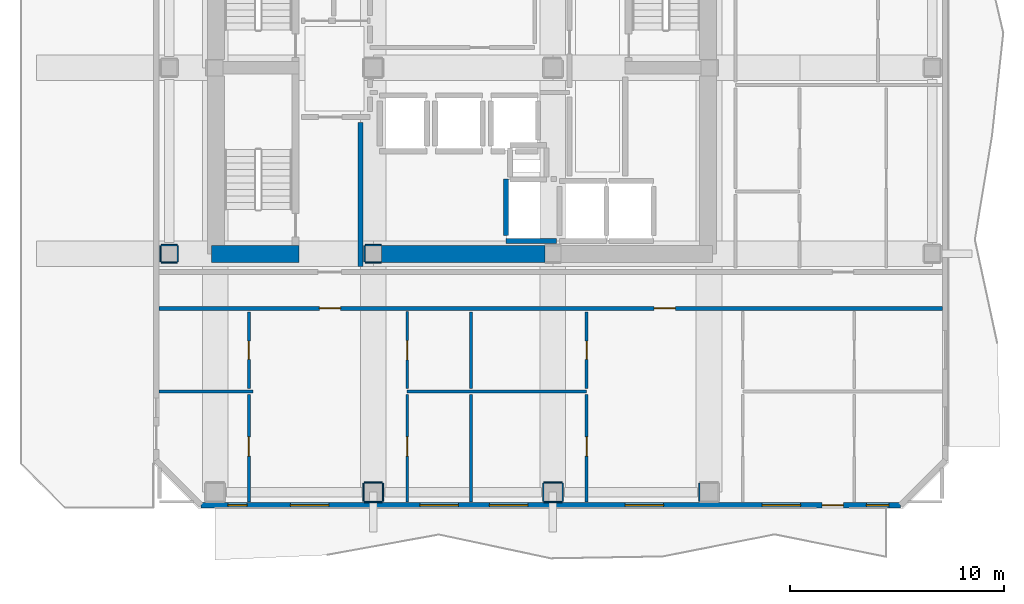
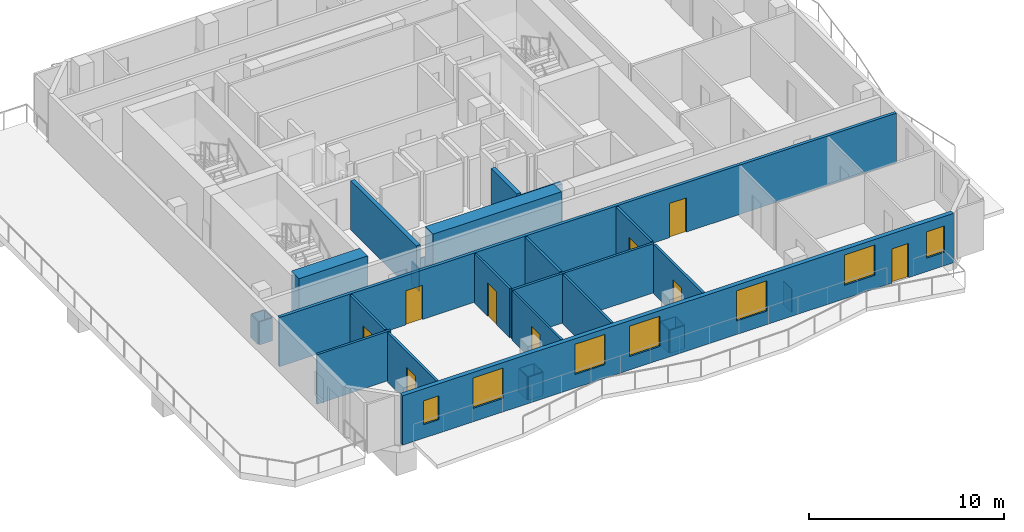
# One storey, part 2 of 10: 33 walls, 9 doors, 7 windows, 16 openings.
"""IFC4 building model written with IfcOpenShell, lengths in metres."""

from ifc_helpers import new_model, si_unit, direction, frame, frame_2d, origin, place, context, subcontext, project, spatial, rectangle, extrude, material, layer, layer_set, type_object, element, fill, save


model = new_model("IFC4")

# Units and contexts
model_context = context("Model", 3, precision=1e-05, world=origin(), true_north=direction((0.0, 1.0)))
body_context = subcontext(model_context, "Body", "Model", "MODEL_VIEW")
ifc_project = project(units=[si_unit("LENGTHUNIT", "METRE"), si_unit("AREAUNIT", "SQUARE_METRE"), si_unit("VOLUMEUNIT", "CUBIC_METRE"), si_unit("PLANEANGLEUNIT", "RADIAN"), si_unit("MASSUNIT", "GRAM", prefix="KILO")], contexts=[model_context])

# Site, building, storey
site_placement = place(None, origin())
site = spatial("IfcSite", under=ifc_project, at=site_placement, CompositionType="ELEMENT")
building_placement = place(site_placement, origin())
building = spatial("IfcBuilding", under=site, at=building_placement, Name="Solanera Arch Residences", CompositionType="ELEMENT")
storey_placement = place(building_placement, frame((0.0, 0.0, 210.080078125)))
storey = spatial("IfcBuildingStorey", under=building, at=storey_placement, Name="L61", CompositionType="ELEMENT", Elevation=210.080078125)

# Walls
ifc_material_1 = material(Name="Fire-Rated Gypsum Stud Partition", Category="gypsum")
ifc_layer_1 = layer(ifc_material_1, 0.06005859375)
ifc_layer_set_1 = layer_set([ifc_layer_1], Name="Fire-Rated Gypsum Stud Partition")
wall_type_1 = type_object("IfcWallType", Name="Column Acoustic Furring Wall 60", PredefinedType="PARTITIONING", material=ifc_layer_set_1)
for number, where, z_axis, x_axis, name in (
    (1, (20.425048828125, 21.593017578125, 0.0), (0.0, 0.0, 1.0), (1.0, 0.0, 0.0), "L61 Column Furring 1S"),
    (2, (20.425048828125, 22.406982421875, 0.0), (0.0, 0.0, 1.0), (1.0, 0.0, 0.0), "L61 Column Furring 1N"),
):
    element("IfcWall", number, at=place(storey_placement, frame(where, z_axis=z_axis, x_axis=x_axis)), inside=storey, type_object=wall_type_1, Name=name, PredefinedType="PARTITIONING", context=body_context, shape_type="SweptSolid", body=[
        extrude(rectangle(XDim=0.741943359375, YDim=0.06005859375, at=frame_2d((0.37109375, 0.0))), origin(), (0.0, 0.0, 1.0), 1.449951171875),
    ])
wall_1_placement = place(storey_placement, frame((20.39306640625, 21.625, 0.0), z_axis=(0.0, 0.0, 1.0), x_axis=(0.0, 1.0, 0.0)))
element("IfcWall", 3, at=wall_1_placement, inside=storey, type_object=wall_type_1, Name="L61 Column Furring 1W", PredefinedType="PARTITIONING", context=body_context, shape_type="SweptSolid", body=[
    extrude(rectangle(XDim=0.75, YDim=0.06005859375, at=frame_2d((0.375, 0.0))), origin(), (0.0, 0.0, 1.0), 1.449951171875),
])
for number, where, z_axis, x_axis, name in (
    (4, (20.375, 10.39306640625, 0.0), (0.0, 0.0, 1.0), (1.0, 0.0, 0.0), "L61 Column Furring 11S"),
    (5, (20.375, 11.306884765625, 0.0), (0.0, 0.0, 1.0), (1.0, 0.0, 0.0), "L61 Column Furring 11N"),
):
    element("IfcWall", number, at=place(storey_placement, frame(where, z_axis=z_axis, x_axis=x_axis)), inside=storey, type_object=wall_type_1, Name=name, PredefinedType="PARTITIONING", context=body_context, shape_type="SweptSolid", body=[
        extrude(rectangle(XDim=0.85009765625, YDim=0.06005859375, at=frame_2d((0.425048828125, 0.0))), origin(), (0.0, 0.0, 1.0), 1.449951171875),
    ])
for number, where, z_axis, x_axis, name in (
    (6, (20.343017578125, 10.425048828125, 0.0), (0.0, 0.0, 1.0), (0.0, 1.0, 0.0), "L61 Column Furring 11W"),
    (7, (21.257080078125, 10.425048828125, 0.0), (0.0, 0.0, 1.0), (0.0, 1.0, 0.0), "L61 Column Furring 11E"),
):
    element("IfcWall", number, at=place(storey_placement, frame(where, z_axis=z_axis, x_axis=x_axis)), inside=storey, type_object=wall_type_1, Name=name, PredefinedType="PARTITIONING", context=body_context, shape_type="SweptSolid", body=[
        extrude(rectangle(XDim=0.849853515625, YDim=0.06005859375, at=frame_2d((0.4248046875, 0.0))), origin(), (0.0, 0.0, 1.0), 1.449951171875),
    ])
for number, where, z_axis, x_axis, name in (
    (8, (28.77490234375, 10.39306640625, 0.0), (0.0, 0.0, 1.0), (1.0, 0.0, 0.0), "L61 Column Furring 13S"),
    (9, (28.77490234375, 11.306884765625, 0.0), (0.0, 0.0, 1.0), (1.0, 0.0, 0.0), "L61 Column Furring 13N"),
):
    element("IfcWall", number, at=place(storey_placement, frame(where, z_axis=z_axis, x_axis=x_axis)), inside=storey, type_object=wall_type_1, Name=name, PredefinedType="PARTITIONING", context=body_context, shape_type="SweptSolid", body=[
        extrude(rectangle(XDim=0.85009765625, YDim=0.06005859375, at=frame_2d((0.425048828125, 0.0))), origin(), (0.0, 0.0, 1.0), 1.449951171875),
    ])
for number, where, z_axis, x_axis, name in (
    (10, (28.742919921875, 10.425048828125, 0.0), (0.0, 0.0, 1.0), (0.0, 1.0, 0.0), "L61 Column Furring 13W"),
    (11, (29.656982421875, 10.425048828125, 0.0), (0.0, 0.0, 1.0), (0.0, 1.0, 0.0), "L61 Column Furring 13E"),
    (12, (36.04296875, 10.425048828125, 0.0), (0.0, 0.0, 1.0), (0.0, 1.0, 0.0), "L61 Column Furring 15W"),
):
    element("IfcWall", number, at=place(storey_placement, frame(where, z_axis=z_axis, x_axis=x_axis)), inside=storey, type_object=wall_type_1, Name=name, PredefinedType="PARTITIONING", context=body_context, shape_type="SweptSolid", body=[
        extrude(rectangle(XDim=0.849853515625, YDim=0.06005859375, at=frame_2d((0.4248046875, 0.0))), origin(), (0.0, 0.0, 1.0), 1.449951171875),
    ])
for number, where, z_axis, x_axis, name in (
    (13, (10.875, 21.593017578125, 0.0), (0.0, 0.0, 1.0), (1.0, 0.0, 0.0), "L61 Column Furring 17S"),
    (14, (10.875, 22.406982421875, 0.0), (0.0, 0.0, 1.0), (1.0, 0.0, 0.0), "L61 Column Furring 17N"),
    (15, (10.843017578125, 21.625, 0.0), (0.0, 0.0, 1.0), (0.0, 1.0, 0.0), "L61 Column Furring 17W"),
    (16, (11.656982421875, 21.625, 0.0), (0.0, 0.0, 1.0), (0.0, 1.0, 0.0), "L61 Column Furring 17E"),
):
    element("IfcWall", number, at=place(storey_placement, frame(where, z_axis=z_axis, x_axis=x_axis)), inside=storey, type_object=wall_type_1, Name=name, PredefinedType="PARTITIONING", context=body_context, shape_type="SweptSolid", body=[
        extrude(rectangle(XDim=0.75, YDim=0.06005859375, at=frame_2d((0.375, 0.0))), origin(), (0.0, 0.0, 1.0), 1.449951171875),
    ])
ifc_material_2 = material(Name="Concrete C40/50 (f'c = 45 MPa)", Category="concrete")
ifc_layer_2 = layer(ifc_material_2, 0.800048828125)
ifc_layer_set_2 = layer_set([ifc_layer_2], Name="Concrete C40/50 (f'c = 45 MPa)")
wall_type_2 = type_object("IfcWallType", Name="Core Shear Wall CW-800", PredefinedType="SHEAR", material=ifc_layer_set_2)
wall_2_placement = place(storey_placement, frame((13.239990234375, 22.0, 0.0), z_axis=(0.0, 0.0, 1.0), x_axis=(1.0, 0.0, 0.0)))
element("IfcWall", 17, at=wall_2_placement, inside=storey, type_object=wall_type_2, Name="L61 South-West Core Shear Wall", PredefinedType="SHEAR", context=body_context, shape_type="SweptSolid", body=[
    extrude(rectangle(XDim=4.080078125, YDim=0.800048828125, at=frame_2d((2.0400390625, 0.0))), origin(), (0.0, 0.0, 1.0), 3.31982421875),
])
wall_3_placement = place(storey_placement, frame((21.179931640625, 22.0, 0.0), z_axis=(0.0, 0.0, 1.0), x_axis=(1.0, 0.0, 0.0)))
element("IfcWall", 18, at=wall_3_placement, inside=storey, type_object=wall_type_2, Name="L61 Central South Core Shear Wall", PredefinedType="SHEAR", context=body_context, shape_type="SweptSolid", body=[
    extrude(rectangle(XDim=7.64013671875, YDim=0.800048828125, at=frame_2d((3.820068359375, 0.0))), origin(), (0.0, 0.0, 1.0), 3.31982421875),
])

# Wall, openings, doors
ifc_material_3 = material(Name="Autoclaved Aerated Concrete Blockwork", Category="masonry")
ifc_layer_3 = layer(ifc_material_3, 0.179931640625)
ifc_layer_set_3 = layer_set([ifc_layer_3], Name="Autoclaved Aerated Concrete Blockwork")
wall_type_3 = type_object("IfcWallType", Name="Corridor Fire Partition 180", PredefinedType="PARTITIONING", material=ifc_layer_set_3)
wall_4_placement = place(storey_placement, frame((10.787109375, 19.449951171875, 0.0), z_axis=(0.0, 0.0, 1.0), x_axis=(1.0, 0.0, 0.0)))
wall_4 = element("IfcWall", 19, at=wall_4_placement, inside=storey, type_object=wall_type_3, Name="L61 Interior Partition H7", PredefinedType="PARTITIONING", context=body_context, shape_type="SweptSolid", body=[
    extrude(rectangle(XDim=36.6259765625, YDim=0.179931640625, at=frame_2d((18.31298828125, 0.0))), origin(), (0.0, 0.0, 1.0), 3.099853515625),
])
opening_1_placement = place(wall_4_placement, frame((7.489990234375, 0.0, 0.0)))
opening_1 = element("IfcOpeningElement", 20, at=opening_1_placement, cuts=wall_4, Name="Opening DI-01", PredefinedType="OPENING", context=body_context, shape_type="SweptSolid", body=[
    extrude(rectangle(XDim=1.0, YDim=2.14990234375, at=frame_2d((0.5, 1.074951171875))), frame((0.0, 0.10009765625, 0.0), z_axis=(0.0, -1.0, 0.0), x_axis=(1.0, 0.0, 0.0)), (0.0, 0.0, 1.0), 0.1999),
])
opening_2_placement = place(wall_4_placement, frame((23.14306640625, 0.0, 0.0)))
opening_2 = element("IfcOpeningElement", 21, at=opening_2_placement, cuts=wall_4, Name="Opening DI-01", PredefinedType="OPENING", context=body_context, shape_type="SweptSolid", body=[
    extrude(rectangle(XDim=1.0, YDim=2.14990234375, at=frame_2d((0.5, 1.074951171875))), frame((0.0, 0.10009765625, 0.0), z_axis=(0.0, -1.0, 0.0), x_axis=(1.0, 0.0, 0.0)), (0.0, 0.0, 1.0), 0.1999),
])
ifc_material_4 = material(Name="Fire-Rated Architectural Hardwood", Category="wood")
door_type_1 = type_object("IfcDoorType", Name="Unit Entrance Fire Door DI-01", OperationType="NOTDEFINED", PredefinedType="DOOR", material=ifc_material_4)
door_1_placement = place(opening_1_placement, origin())
door_1 = element("IfcDoor", 22, at=door_1_placement, inside=storey, type_object=door_type_1, Name="DR-L61-IN-014", OperationType="SINGLE_SWING_LEFT", OverallHeight=2.14990234375, OverallWidth=1.0, PredefinedType="DOOR", context=body_context, shape_type="SweptSolid", body=[
    extrude(rectangle(XDim=1.0, YDim=2.14990234375, at=frame_2d((0.5, 1.074951171875))), frame((0.0, 0.02490234375, 0.0), z_axis=(0.0, -1.0, 0.0), x_axis=(1.0, 0.0, 0.0)), (0.0, 0.0, 1.0), 0.050048828125),
])
fill(opening_1, door_1)
door_2_placement = place(opening_2_placement, origin())
door_2 = element("IfcDoor", 23, at=door_2_placement, inside=storey, type_object=door_type_1, Name="DR-L61-IN-019", OperationType="SINGLE_SWING_RIGHT", OverallHeight=2.14990234375, OverallWidth=1.0, PredefinedType="DOOR", context=body_context, shape_type="SweptSolid", body=[
    extrude(rectangle(XDim=1.0, YDim=2.14990234375, at=frame_2d((0.5, 1.074951171875))), frame((0.0, 0.02490234375, 0.0), z_axis=(0.0, -1.0, 0.0), x_axis=(1.0, 0.0, 0.0)), (0.0, 0.0, 1.0), 0.050048828125),
])
fill(opening_2, door_2)

# Wall, openings, door, windows
ifc_material_5 = material(Name="Precast Concrete C35/45", Category="concrete")
ifc_layer_4 = layer(ifc_material_5, 0.260009765625)
ifc_layer_set_4 = layer_set([ifc_layer_4], Name="Precast Concrete C35/45")
wall_type_4 = type_object("IfcWallType", Name="Exterior Wall Precast Masonry-Frame 260", PredefinedType="STANDARD", material=ifc_layer_set_4)
wall_5_placement = place(storey_placement, frame((45.455078125, 10.2451171875, 0.0), z_axis=(0.0, 0.0, 1.0), x_axis=(-1.0, 0.0, 0.0)))
wall_5 = element("IfcWall", 24, at=wall_5_placement, inside=storey, type_object=wall_type_4, Name="L61 Tower Exterior Precast Masonry-Frame Wall S", PredefinedType="STANDARD", context=body_context, shape_type="SweptSolid", body=[
    extrude(rectangle(XDim=32.7099609375, YDim=0.260009765625, at=frame_2d((16.35498046875, 0.0))), origin(), (0.0, 0.0, 1.0), 3.099853515625),
])
opening_3_placement = place(wall_5_placement, frame((2.6650390625, 0.0, 0.0)))
opening_3 = element("IfcOpeningElement", 25, at=opening_3_placement, cuts=wall_5, Name="Opening DB-01", PredefinedType="OPENING", context=body_context, shape_type="SweptSolid", body=[
    extrude(rectangle(XDim=1.0, YDim=2.14990234375, at=frame_2d((0.5, 1.074951171875))), frame((0.0, 0.139892578125, 0.0), z_axis=(0.0, -1.0, 0.0), x_axis=(1.0, 0.0, 0.0)), (0.0, 0.0, 1.0), 0.28),
])
opening_4_placement = place(wall_5_placement, frame((26.73095703125, 0.0, 0.85009765625)))
opening_4 = element("IfcOpeningElement", 26, at=opening_4_placement, cuts=wall_5, Name="Opening W-03", PredefinedType="OPENING", context=body_context, shape_type="SweptSolid", body=[
    extrude(rectangle(XDim=1.800048828125, YDim=1.89990234375, at=frame_2d((0.89990234375, 0.949951171875))), frame((0.0, 0.139892578125, 0.0), z_axis=(0.0, -1.0, 0.0), x_axis=(1.0, 0.0, 0.0)), (0.0, 0.0, 1.0), 0.28),
])
opening_5_placement = place(wall_5_placement, frame((30.555908203125, 0.0, 0.85009765625)))
opening_5 = element("IfcOpeningElement", 27, at=opening_5_placement, cuts=wall_5, Name="Opening W-06", PredefinedType="OPENING", context=body_context, shape_type="SweptSolid", body=[
    extrude(rectangle(XDim=0.89990234375, YDim=1.5, at=frame_2d((0.449951171875, 0.75))), frame((0.0, 0.139892578125, 0.0), z_axis=(0.0, -1.0, 0.0), x_axis=(1.0, 0.0, 0.0)), (0.0, 0.0, 1.0), 0.28),
])
opening_6_placement = place(wall_5_placement, frame((20.676025390625, 0.0, 0.85009765625)))
opening_6 = element("IfcOpeningElement", 28, at=opening_6_placement, cuts=wall_5, Name="Opening W-03", PredefinedType="OPENING", context=body_context, shape_type="SweptSolid", body=[
    extrude(rectangle(XDim=1.800048828125, YDim=1.89990234375, at=frame_2d((0.89990234375, 0.949951171875))), frame((0.0, 0.139892578125, 0.0), z_axis=(0.0, -1.0, 0.0), x_axis=(1.0, 0.0, 0.0)), (0.0, 0.0, 1.0), 0.28),
])
opening_7_placement = place(wall_5_placement, frame((11.076904296875, 0.0, 0.85009765625)))
opening_7 = element("IfcOpeningElement", 29, at=opening_7_placement, cuts=wall_5, Name="Opening W-03", PredefinedType="OPENING", context=body_context, shape_type="SweptSolid", body=[
    extrude(rectangle(XDim=1.800048828125, YDim=1.89990234375, at=frame_2d((0.89990234375, 0.949951171875))), frame((0.0, 0.139892578125, 0.0), z_axis=(0.0, -1.0, 0.0), x_axis=(1.0, 0.0, 0.0)), (0.0, 0.0, 1.0), 0.28),
])
opening_8_placement = place(wall_5_placement, frame((17.427978515625, 0.0, 0.85009765625)))
opening_8 = element("IfcOpeningElement", 30, at=opening_8_placement, cuts=wall_5, Name="Opening W-03", PredefinedType="OPENING", context=body_context, shape_type="SweptSolid", body=[
    extrude(rectangle(XDim=1.800048828125, YDim=1.89990234375, at=frame_2d((0.89990234375, 0.949951171875))), frame((0.0, 0.139892578125, 0.0), z_axis=(0.0, -1.0, 0.0), x_axis=(1.0, 0.0, 0.0)), (0.0, 0.0, 1.0), 0.28),
])
opening_9_placement = place(wall_5_placement, frame((4.669921875, 0.0, 0.85009765625)))
opening_9 = element("IfcOpeningElement", 31, at=opening_9_placement, cuts=wall_5, Name="Opening W-03", PredefinedType="OPENING", context=body_context, shape_type="SweptSolid", body=[
    extrude(rectangle(XDim=1.800048828125, YDim=1.89990234375, at=frame_2d((0.89990234375, 0.949951171875))), frame((0.0, 0.139892578125, 0.0), z_axis=(0.0, -1.0, 0.0), x_axis=(1.0, 0.0, 0.0)), (0.0, 0.0, 1.0), 0.28),
])
opening_10_placement = place(wall_5_placement, frame((0.548095703125, 0.0, 0.85009765625)))
opening_10 = element("IfcOpeningElement", 32, at=opening_10_placement, cuts=wall_5, Name="Opening W-07", PredefinedType="OPENING", context=body_context, shape_type="SweptSolid", body=[
    extrude(rectangle(XDim=1.050048828125, YDim=1.64990234375, at=frame_2d((0.52490234375, 0.824951171875))), frame((0.0, 0.139892578125, 0.0), z_axis=(0.0, -1.0, 0.0), x_axis=(1.0, 0.0, 0.0)), (0.0, 0.0, 1.0), 0.28),
])
ifc_material_6 = material(Name="Anodised Aluminium Alloy 6063-T6", Category="aluminium")
door_type_2 = type_object("IfcDoorType", Name="Glazed Balcony Swing Door DB-01", OperationType="NOTDEFINED", PredefinedType="DOOR", material=ifc_material_6)
door_3_placement = place(opening_3_placement, origin())
door_3 = element("IfcDoor", 33, at=door_3_placement, inside=storey, type_object=door_type_2, Name="DR-L61-OUT-02", OperationType="SINGLE_SWING_RIGHT", OverallHeight=2.14990234375, OverallWidth=1.0, PredefinedType="DOOR", context=body_context, shape_type="SweptSolid", body=[
    extrude(rectangle(XDim=1.0, YDim=2.14990234375, at=frame_2d((0.5, 1.074951171875))), frame((0.0, 0.02490234375, 0.0), z_axis=(0.0, -1.0, 0.0), x_axis=(1.0, 0.0, 0.0)), (0.0, 0.0, 1.0), 0.050048828125),
])
fill(opening_3, door_3)
ifc_material_7 = material(Name="Double Glazed Low-E Laminated Glass", Category="glass")
window_type_1 = type_object("IfcWindowType", Name="Punched Window W-03", PartitioningType="DOUBLE_PANEL_VERTICAL", PredefinedType="WINDOW", material=ifc_material_7)
window_1_placement = place(opening_4_placement, origin())
window_1 = element("IfcWindow", 34, at=window_1_placement, inside=storey, type_object=window_type_1, Name="L61 6101-LIV Punched Window", OverallHeight=1.89990234375, OverallWidth=1.800048828125, PartitioningType="SINGLE_PANEL", PredefinedType="WINDOW", context=body_context, shape_type="SweptSolid", body=[
    extrude(rectangle(XDim=1.800048828125, YDim=1.89990234375, at=frame_2d((0.89990234375, 0.949951171875))), frame((0.0, 0.030029296875, 0.0), z_axis=(0.0, -1.0, 0.0), x_axis=(1.0, 0.0, 0.0)), (0.0, 0.0, 1.0), 0.06005859375),
])
fill(opening_4, window_1)
window_2_placement = place(opening_6_placement, origin())
window_2 = element("IfcWindow", 35, at=window_2_placement, inside=storey, type_object=window_type_1, Name="L61 6101-BR2 Punched Window", OverallHeight=1.89990234375, OverallWidth=1.800048828125, PartitioningType="SINGLE_PANEL", PredefinedType="WINDOW", context=body_context, shape_type="SweptSolid", body=[
    extrude(rectangle(XDim=1.800048828125, YDim=1.89990234375, at=frame_2d((0.89990234375, 0.949951171875))), frame((0.0, 0.030029296875, 0.0), z_axis=(0.0, -1.0, 0.0), x_axis=(1.0, 0.0, 0.0)), (0.0, 0.0, 1.0), 0.06005859375),
])
fill(opening_6, window_2)
window_3_placement = place(opening_7_placement, origin())
window_3 = element("IfcWindow", 36, at=window_3_placement, inside=storey, type_object=window_type_1, Name="L61 6102-LIV Punched Window", OverallHeight=1.89990234375, OverallWidth=1.800048828125, PartitioningType="SINGLE_PANEL", PredefinedType="WINDOW", context=body_context, shape_type="SweptSolid", body=[
    extrude(rectangle(XDim=1.800048828125, YDim=1.89990234375, at=frame_2d((0.89990234375, 0.949951171875))), frame((0.0, 0.030029296875, 0.0), z_axis=(0.0, -1.0, 0.0), x_axis=(1.0, 0.0, 0.0)), (0.0, 0.0, 1.0), 0.06005859375),
])
fill(opening_7, window_3)
window_4_placement = place(opening_8_placement, origin())
window_4 = element("IfcWindow", 37, at=window_4_placement, inside=storey, type_object=window_type_1, Name="L61 6102-BR1 Punched Window", OverallHeight=1.89990234375, OverallWidth=1.800048828125, PartitioningType="SINGLE_PANEL", PredefinedType="WINDOW", context=body_context, shape_type="SweptSolid", body=[
    extrude(rectangle(XDim=1.800048828125, YDim=1.89990234375, at=frame_2d((0.89990234375, 0.949951171875))), frame((0.0, 0.030029296875, 0.0), z_axis=(0.0, -1.0, 0.0), x_axis=(1.0, 0.0, 0.0)), (0.0, 0.0, 1.0), 0.06005859375),
])
fill(opening_8, window_4)
window_5_placement = place(opening_9_placement, origin())
window_5 = element("IfcWindow", 38, at=window_5_placement, inside=storey, type_object=window_type_1, Name="L61 6102-BR2 Punched Window", OverallHeight=1.89990234375, OverallWidth=1.800048828125, PartitioningType="SINGLE_PANEL", PredefinedType="WINDOW", context=body_context, shape_type="SweptSolid", body=[
    extrude(rectangle(XDim=1.800048828125, YDim=1.89990234375, at=frame_2d((0.89990234375, 0.949951171875))), frame((0.0, 0.030029296875, 0.0), z_axis=(0.0, -1.0, 0.0), x_axis=(1.0, 0.0, 0.0)), (0.0, 0.0, 1.0), 0.06005859375),
])
fill(opening_9, window_5)
ifc_material_8 = material(Name="Double Glazed Low-E Laminated Glass", Category="glass")
window_type_2 = type_object("IfcWindowType", Name="Punched Window W-06", PartitioningType="SINGLE_PANEL", PredefinedType="WINDOW", material=ifc_material_8)
window_6_placement = place(opening_5_placement, origin())
window_6 = element("IfcWindow", 39, at=window_6_placement, inside=storey, type_object=window_type_2, Name="L61 6101-BR1 Punched Window", OverallHeight=1.5, OverallWidth=0.89990234375, PartitioningType="SINGLE_PANEL", PredefinedType="WINDOW", context=body_context, shape_type="SweptSolid", body=[
    extrude(rectangle(XDim=0.89990234375, YDim=1.5, at=frame_2d((0.449951171875, 0.75))), frame((0.0, 0.030029296875, 0.0), z_axis=(0.0, -1.0, 0.0), x_axis=(1.0, 0.0, 0.0)), (0.0, 0.0, 1.0), 0.06005859375),
])
fill(opening_5, window_6)
ifc_material_9 = material(Name="Double Glazed Low-E Laminated Glass", Category="glass")
window_type_3 = type_object("IfcWindowType", Name="Punched Window W-07", PartitioningType="SINGLE_PANEL", PredefinedType="WINDOW", material=ifc_material_9)
window_7_placement = place(opening_10_placement, origin())
window_7 = element("IfcWindow", 40, at=window_7_placement, inside=storey, type_object=window_type_3, Name="L61 6102-BR3 Punched Window", OverallHeight=1.64990234375, OverallWidth=1.050048828125, PartitioningType="SINGLE_PANEL", PredefinedType="WINDOW", context=body_context, shape_type="SweptSolid", body=[
    extrude(rectangle(XDim=1.050048828125, YDim=1.64990234375, at=frame_2d((0.52490234375, 0.824951171875))), frame((0.0, 0.030029296875, 0.0), z_axis=(0.0, -1.0, 0.0), x_axis=(1.0, 0.0, 0.0)), (0.0, 0.0, 1.0), 0.06005859375),
])
fill(opening_10, window_7)

# Walls
ifc_material_10 = material(Name="Autoclaved Aerated Concrete Blockwork", Category="masonry")
ifc_layer_5 = layer(ifc_material_10, 0.239990234375)
ifc_layer_set_5 = layer_set([ifc_layer_5], Name="Autoclaved Aerated Concrete Blockwork")
wall_type_5 = type_object("IfcWallType", Name="Shaft Wall Fire-Rated 240", PredefinedType="PARTITIONING", material=ifc_layer_set_5)
wall_6_placement = place(storey_placement, frame((27.0, 22.60009765625, 0.0), z_axis=(0.0, 0.0, 1.0), x_axis=(1.0, 0.0, 0.0)))
element("IfcWall", 41, at=wall_6_placement, inside=storey, type_object=wall_type_5, Name="L61 Lift SVL-1 Hoistway Wall S", PredefinedType="PARTITIONING", context=body_context, shape_type="SweptSolid", body=[
    extrude(rectangle(XDim=2.3720703125, YDim=0.239990234375, at=frame_2d((1.18603515625, 0.0))), origin(), (0.0, 0.0, 1.0), 3.099853515625),
])
wall_7_placement = place(storey_placement, frame((27.0, 22.847900390625, 0.0), z_axis=(0.0, 0.0, 1.0), x_axis=(0.0, 1.0, 0.0)))
element("IfcWall", 42, at=wall_7_placement, inside=storey, type_object=wall_type_5, Name="L61 Lift SVL-1 Hoistway Wall W", PredefinedType="PARTITIONING", context=body_context, shape_type="SweptSolid", body=[
    extrude(rectangle(XDim=2.650146484375, YDim=0.239990234375, at=frame_2d((1.3251953125, 0.0))), origin(), (0.0, 0.0, 1.0), 3.099853515625),
])
wall_8_placement = place(storey_placement, frame((20.199951171875, 21.39794921875, 0.0), z_axis=(0.0, 0.0, 1.0), x_axis=(0.0, 1.0, 0.0)))
element("IfcWall", 43, at=wall_8_placement, inside=storey, type_object=wall_type_5, Name="L61 Interior Partition V2", PredefinedType="PARTITIONING", context=body_context, shape_type="SweptSolid", body=[
    extrude(rectangle(XDim=6.754150390625, YDim=0.239990234375, at=frame_2d((3.376953125, 0.0))), origin(), (0.0, 0.0, 1.0), 3.099853515625),
])

# Wall, opening, door
ifc_material_11 = material(Name="Fire-Rated Gypsum Stud Partition", Category="gypsum")
ifc_layer_6 = layer(ifc_material_11, 0.1201171875)
ifc_layer_set_6 = layer_set([ifc_layer_6], Name="Fire-Rated Gypsum Stud Partition")
wall_type_6 = type_object("IfcWallType", Name="Unit Drywall Partition 120", PredefinedType="PARTITIONING", material=ifc_layer_set_6)
wall_9_placement = place(storey_placement, frame((22.3798828125, 10.386962890625, 0.0), z_axis=(0.0, 0.0, 1.0), x_axis=(0.0, 1.0, 0.0)))
wall_9 = element("IfcWall", 44, at=wall_9_placement, inside=storey, type_object=wall_type_6, Name="L61 Interior Partition V18 1", PredefinedType="PARTITIONING", context=body_context, shape_type="SweptSolid", body=[
    extrude(rectangle(XDim=5.033935546875, YDim=0.1201171875, at=frame_2d((2.51708984375, 0.0))), origin(), (0.0, 0.0, 1.0), 3.099853515625),
])
opening_11_placement = place(wall_9_placement, frame((2.155029296875, 0.0, 0.0)))
opening_11 = element("IfcOpeningElement", 45, at=opening_11_placement, cuts=wall_9, Name="Opening DI-03", PredefinedType="OPENING", context=body_context, shape_type="SweptSolid", body=[
    extrude(rectangle(XDim=0.89990234375, YDim=2.10009765625, at=frame_2d((0.449951171875, 1.050048828125))), frame((0.0, 0.070068359375, 0.0), z_axis=(0.0, -1.0, 0.0), x_axis=(1.0, 0.0, 0.0)), (0.0, 0.0, 1.0), 0.1401),
])
ifc_material_12 = material(Name="Fire-Rated Architectural Hardwood", Category="wood")
door_type_3 = type_object("IfcDoorType", Name="Bedroom Swing Door DI-03", OperationType="NOTDEFINED", PredefinedType="DOOR", material=ifc_material_12)
door_4_placement = place(opening_11_placement, origin())
door_4 = element("IfcDoor", 46, at=door_4_placement, inside=storey, type_object=door_type_3, Name="DR-L61-IN-018", OperationType="SINGLE_SWING_LEFT", OverallHeight=2.10009765625, OverallWidth=0.89990234375, PredefinedType="DOOR", context=body_context, shape_type="SweptSolid", body=[
    extrude(rectangle(XDim=0.89990234375, YDim=2.10009765625, at=frame_2d((0.449951171875, 1.050048828125))), frame((0.0, 0.02490234375, 0.0), z_axis=(0.0, -1.0, 0.0), x_axis=(1.0, 0.0, 0.0)), (0.0, 0.0, 1.0), 0.050048828125),
])
fill(opening_11, door_4)

wall_10_placement = place(storey_placement, frame((22.3798828125, 15.697021484375, 0.0), z_axis=(0.0, 0.0, 1.0), x_axis=(0.0, 1.0, 0.0)))
wall_10 = element("IfcWall", 47, at=wall_10_placement, inside=storey, type_object=wall_type_6, Name="L61 Interior Partition V18 2", PredefinedType="PARTITIONING", context=body_context, shape_type="SweptSolid", body=[
    extrude(rectangle(XDim=3.594970703125, YDim=0.1201171875, at=frame_2d((1.79736328125, 0.0))), origin(), (0.0, 0.0, 1.0), 3.099853515625),
])
opening_12_placement = place(wall_10_placement, frame((1.344970703125, 0.0, 0.0)))
opening_12 = element("IfcOpeningElement", 48, at=opening_12_placement, cuts=wall_10, Name="Opening DI-02", PredefinedType="OPENING", context=body_context, shape_type="SweptSolid", body=[
    extrude(rectangle(XDim=0.89990234375, YDim=2.10009765625, at=frame_2d((0.449951171875, 1.050048828125))), frame((0.0, 0.070068359375, 0.0), z_axis=(0.0, -1.0, 0.0), x_axis=(1.0, 0.0, 0.0)), (0.0, 0.0, 1.0), 0.1401),
])
ifc_material_13 = material(Name="Fire-Rated Architectural Hardwood", Category="wood")
door_type_4 = type_object("IfcDoorType", Name="Suite Room Swing Door DI-02", OperationType="NOTDEFINED", PredefinedType="DOOR", material=ifc_material_13)
door_5_placement = place(opening_12_placement, origin())
door_5 = element("IfcDoor", 49, at=door_5_placement, inside=storey, type_object=door_type_4, Name="DR-L61-IN-017", OperationType="SINGLE_SWING_RIGHT", OverallHeight=2.10009765625, OverallWidth=0.89990234375, PredefinedType="DOOR", context=body_context, shape_type="SweptSolid", body=[
    extrude(rectangle(XDim=0.89990234375, YDim=2.10009765625, at=frame_2d((0.449951171875, 1.050048828125))), frame((0.0, 0.02490234375, 0.0), z_axis=(0.0, -1.0, 0.0), x_axis=(1.0, 0.0, 0.0)), (0.0, 0.0, 1.0), 0.050048828125),
])
fill(opening_12, door_5)

# Walls
ifc_material_14 = material(Name="Autoclaved Aerated Concrete Blockwork", Category="masonry")
ifc_layer_7 = layer(ifc_material_14, 0.139892578125)
ifc_layer_set_7 = layer_set([ifc_layer_7], Name="Autoclaved Aerated Concrete Blockwork")
wall_type_7 = type_object("IfcWallType", Name="Wet-Room Partition 140", PredefinedType="PARTITIONING", material=ifc_layer_set_7)
wall_11_placement = place(storey_placement, frame((10.787109375, 15.55908203125, 0.0), z_axis=(0.0, 0.0, 1.0), x_axis=(1.0, 0.0, 0.0)))
element("IfcWall", 50, at=wall_11_placement, inside=storey, type_object=wall_type_7, Name="L61 Interior Partition H13", PredefinedType="PARTITIONING", context=body_context, shape_type="SweptSolid", body=[
    extrude(rectangle(XDim=4.385986328125, YDim=0.139892578125, at=frame_2d((2.19287109375, 0.0))), origin(), (0.0, 0.0, 1.0), 3.099853515625),
])
wall_12_placement = place(storey_placement, frame((22.3798828125, 15.55908203125, 0.0), z_axis=(0.0, 0.0, 1.0), x_axis=(1.0, 0.0, 0.0)))
element("IfcWall", 51, at=wall_12_placement, inside=storey, type_object=wall_type_7, Name="L61 Interior Partition H14", PredefinedType="PARTITIONING", context=body_context, shape_type="SweptSolid", body=[
    extrude(rectangle(XDim=8.400146484375, YDim=0.139892578125, at=frame_2d((4.2001953125, 0.0))), origin(), (0.0, 0.0, 1.0), 3.099853515625),
])

# Wall, opening, door
wall_13_placement = place(storey_placement, frame((14.97998046875, 10.386962890625, 0.0), z_axis=(0.0, 0.0, 1.0), x_axis=(0.0, 1.0, 0.0)))
wall_13 = element("IfcWall", 52, at=wall_13_placement, inside=storey, type_object=wall_type_7, Name="L61 Interior Partition V11 1", PredefinedType="PARTITIONING", context=body_context, shape_type="SweptSolid", body=[
    extrude(rectangle(XDim=5.02392578125, YDim=0.139892578125, at=frame_2d((2.511962890625, 0.0))), origin(), (0.0, 0.0, 1.0), 3.099853515625),
])
opening_13_placement = place(wall_13_placement, frame((2.155029296875, 0.0, 0.0)))
opening_13 = element("IfcOpeningElement", 53, at=opening_13_placement, cuts=wall_13, Name="Opening DI-03", PredefinedType="OPENING", context=body_context, shape_type="SweptSolid", body=[
    extrude(rectangle(XDim=0.89990234375, YDim=2.10009765625, at=frame_2d((0.449951171875, 1.050048828125))), frame((0.0, 0.079833984375, 0.0), z_axis=(0.0, -1.0, 0.0), x_axis=(1.0, 0.0, 0.0)), (0.0, 0.0, 1.0), 0.1599),
])
door_6_placement = place(opening_13_placement, origin())
door_6 = element("IfcDoor", 54, at=door_6_placement, inside=storey, type_object=door_type_3, Name="DR-L61-IN-016", OperationType="SINGLE_SWING_LEFT", OverallHeight=2.10009765625, OverallWidth=0.89990234375, PredefinedType="DOOR", context=body_context, shape_type="SweptSolid", body=[
    extrude(rectangle(XDim=0.89990234375, YDim=2.10009765625, at=frame_2d((0.449951171875, 1.050048828125))), frame((0.0, 0.02490234375, 0.0), z_axis=(0.0, -1.0, 0.0), x_axis=(1.0, 0.0, 0.0)), (0.0, 0.0, 1.0), 0.050048828125),
])
fill(opening_13, door_6)

wall_14_placement = place(storey_placement, frame((14.97998046875, 15.70703125, 0.0), z_axis=(0.0, 0.0, 1.0), x_axis=(0.0, 1.0, 0.0)))
wall_14 = element("IfcWall", 55, at=wall_14_placement, inside=storey, type_object=wall_type_7, Name="L61 Interior Partition V11 2", PredefinedType="PARTITIONING", context=body_context, shape_type="SweptSolid", body=[
    extrude(rectangle(XDim=3.574951171875, YDim=0.139892578125, at=frame_2d((1.78759765625, 0.0))), origin(), (0.0, 0.0, 1.0), 3.099853515625),
])
opening_14_placement = place(wall_14_placement, frame((1.35498046875, 0.0, 0.0)))
opening_14 = element("IfcOpeningElement", 56, at=opening_14_placement, cuts=wall_14, Name="Opening DI-05", PredefinedType="OPENING", context=body_context, shape_type="SweptSolid", body=[
    extrude(rectangle(XDim=0.860107421875, YDim=2.02001953125, at=frame_2d((0.43017578125, 1.010009765625))), frame((0.0, 0.079833984375, 0.0), z_axis=(0.0, -1.0, 0.0), x_axis=(1.0, 0.0, 0.0)), (0.0, 0.0, 1.0), 0.1599),
])
ifc_material_15 = material(Name="Fire-Rated Architectural Hardwood", Category="wood")
door_type_5 = type_object("IfcDoorType", Name="Bathroom Swing Door DI-05", OperationType="NOTDEFINED", PredefinedType="DOOR", material=ifc_material_15)
door_7_placement = place(opening_14_placement, origin())
door_7 = element("IfcDoor", 57, at=door_7_placement, inside=storey, type_object=door_type_5, Name="DR-L61-IN-015", OperationType="SINGLE_SWING_RIGHT", OverallHeight=2.02001953125, OverallWidth=0.860107421875, PredefinedType="DOOR", context=body_context, shape_type="SweptSolid", body=[
    extrude(rectangle(XDim=0.860107421875, YDim=2.02001953125, at=frame_2d((0.43017578125, 1.010009765625))), frame((0.0, 0.02490234375, 0.0), z_axis=(0.0, -1.0, 0.0), x_axis=(1.0, 0.0, 0.0)), (0.0, 0.0, 1.0), 0.050048828125),
])
fill(opening_14, door_7)

# Walls
wall_15_placement = place(storey_placement, frame((25.3779296875, 10.386962890625, 0.0), z_axis=(0.0, 0.0, 1.0), x_axis=(0.0, 1.0, 0.0)))
element("IfcWall", 58, at=wall_15_placement, inside=storey, type_object=wall_type_7, Name="L61 Interior Partition V13 1", PredefinedType="PARTITIONING", context=body_context, shape_type="SweptSolid", body=[
    extrude(rectangle(XDim=5.02392578125, YDim=0.139892578125, at=frame_2d((2.511962890625, 0.0))), origin(), (0.0, 0.0, 1.0), 3.099853515625),
])
wall_16_placement = place(storey_placement, frame((25.3779296875, 15.70703125, 0.0), z_axis=(0.0, 0.0, 1.0), x_axis=(0.0, 1.0, 0.0)))
element("IfcWall", 59, at=wall_16_placement, inside=storey, type_object=wall_type_7, Name="L61 Interior Partition V13 2", PredefinedType="PARTITIONING", context=body_context, shape_type="SweptSolid", body=[
    extrude(rectangle(XDim=3.574951171875, YDim=0.139892578125, at=frame_2d((1.78759765625, 0.0))), origin(), (0.0, 0.0, 1.0), 3.099853515625),
])

# Wall, opening, door
wall_17_placement = place(storey_placement, frame((30.780029296875, 10.386962890625, 0.0), z_axis=(0.0, 0.0, 1.0), x_axis=(0.0, 1.0, 0.0)))
wall_17 = element("IfcWall", 60, at=wall_17_placement, inside=storey, type_object=wall_type_7, Name="L61 Interior Partition V14 1", PredefinedType="PARTITIONING", context=body_context, shape_type="SweptSolid", body=[
    extrude(rectangle(XDim=5.02392578125, YDim=0.139892578125, at=frame_2d((2.511962890625, 0.0))), origin(), (0.0, 0.0, 1.0), 3.099853515625),
])
opening_15_placement = place(wall_17_placement, frame((2.155029296875, 0.0, 0.0)))
opening_15 = element("IfcOpeningElement", 61, at=opening_15_placement, cuts=wall_17, Name="Opening DI-03", PredefinedType="OPENING", context=body_context, shape_type="SweptSolid", body=[
    extrude(rectangle(XDim=0.89990234375, YDim=2.10009765625, at=frame_2d((0.449951171875, 1.050048828125))), frame((0.0, 0.079833984375, 0.0), z_axis=(0.0, -1.0, 0.0), x_axis=(1.0, 0.0, 0.0)), (0.0, 0.0, 1.0), 0.1599),
])
door_8_placement = place(opening_15_placement, origin())
door_8 = element("IfcDoor", 62, at=door_8_placement, inside=storey, type_object=door_type_3, Name="DR-L61-IN-021", OperationType="SINGLE_SWING_RIGHT", OverallHeight=2.10009765625, OverallWidth=0.89990234375, PredefinedType="DOOR", context=body_context, shape_type="SweptSolid", body=[
    extrude(rectangle(XDim=0.89990234375, YDim=2.10009765625, at=frame_2d((0.449951171875, 1.050048828125))), frame((0.0, 0.02490234375, 0.0), z_axis=(0.0, -1.0, 0.0), x_axis=(1.0, 0.0, 0.0)), (0.0, 0.0, 1.0), 0.050048828125),
])
fill(opening_15, door_8)

wall_18_placement = place(storey_placement, frame((30.780029296875, 15.70703125, 0.0), z_axis=(0.0, 0.0, 1.0), x_axis=(0.0, 1.0, 0.0)))
wall_18 = element("IfcWall", 63, at=wall_18_placement, inside=storey, type_object=wall_type_7, Name="L61 Interior Partition V14 2", PredefinedType="PARTITIONING", context=body_context, shape_type="SweptSolid", body=[
    extrude(rectangle(XDim=3.574951171875, YDim=0.139892578125, at=frame_2d((1.78759765625, 0.0))), origin(), (0.0, 0.0, 1.0), 3.099853515625),
])
opening_16_placement = place(wall_18_placement, frame((1.35498046875, 0.0, 0.0)))
opening_16 = element("IfcOpeningElement", 64, at=opening_16_placement, cuts=wall_18, Name="Opening DI-05", PredefinedType="OPENING", context=body_context, shape_type="SweptSolid", body=[
    extrude(rectangle(XDim=0.860107421875, YDim=2.02001953125, at=frame_2d((0.43017578125, 1.010009765625))), frame((0.0, 0.079833984375, 0.0), z_axis=(0.0, -1.0, 0.0), x_axis=(1.0, 0.0, 0.0)), (0.0, 0.0, 1.0), 0.1599),
])
door_9_placement = place(opening_16_placement, origin())
door_9 = element("IfcDoor", 65, at=door_9_placement, inside=storey, type_object=door_type_5, Name="DR-L61-IN-020", OperationType="SINGLE_SWING_LEFT", OverallHeight=2.02001953125, OverallWidth=0.860107421875, PredefinedType="DOOR", context=body_context, shape_type="SweptSolid", body=[
    extrude(rectangle(XDim=0.860107421875, YDim=2.02001953125, at=frame_2d((0.43017578125, 1.010009765625))), frame((0.0, 0.02490234375, 0.0), z_axis=(0.0, -1.0, 0.0), x_axis=(1.0, 0.0, 0.0)), (0.0, 0.0, 1.0), 0.050048828125),
])
fill(opening_16, door_9)

save(model, "model.ifc")
